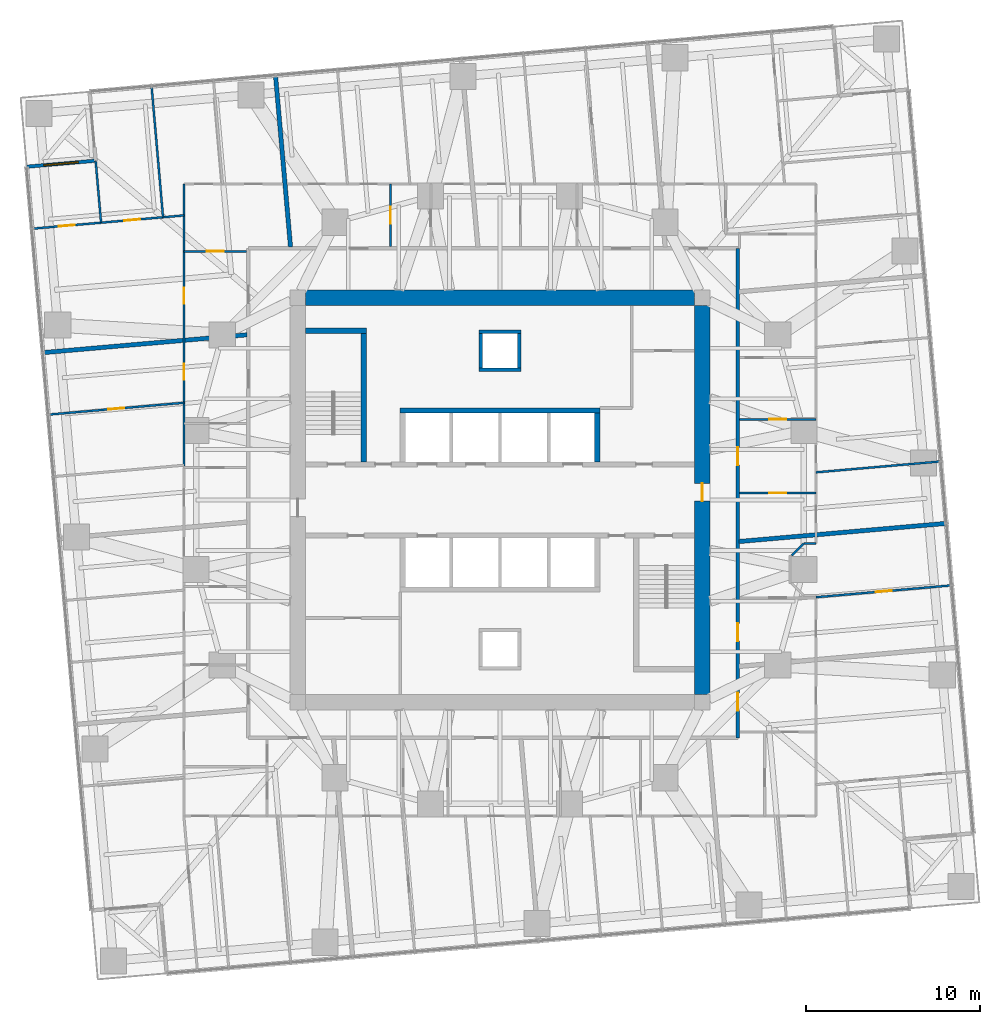
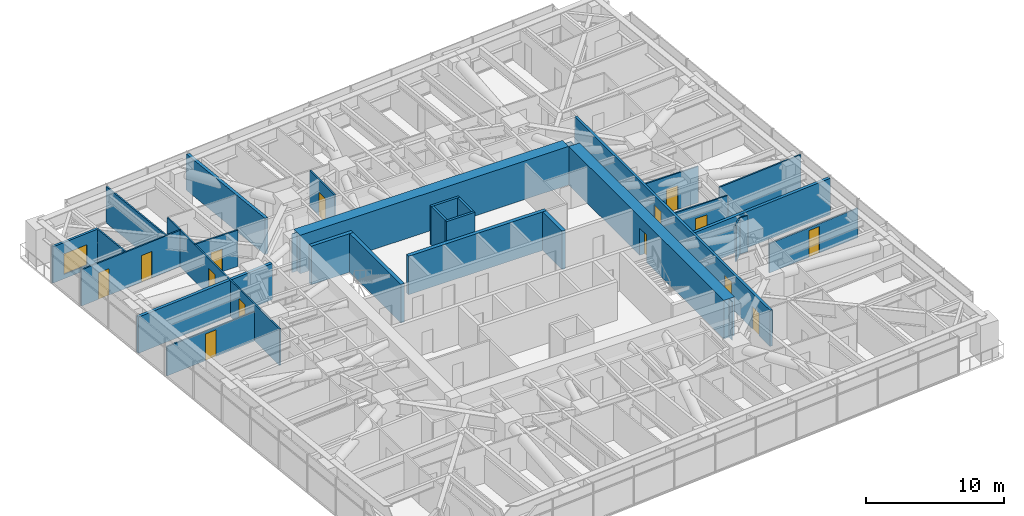
# One storey, part 14 of 18: 28 walls, 14 doors, 1 window, 15 openings.
"""IFC4 building model written with IfcOpenShell, lengths in metres."""

from ifc_helpers import new_model, si_unit, direction, frame, frame_2d, origin, place, context, subcontext, project, spatial, polyline, rectangle, outline, extrude, material, layer, layer_set, type_object, element, fill, save


model = new_model("IFC4")

# Units and contexts
model_context = context("Model", 3, precision=1e-05, world=origin(), true_north=direction((0.0, 1.0)))
body_context = subcontext(model_context, "Body", "Model", "MODEL_VIEW")
ifc_project = project(units=[si_unit("LENGTHUNIT", "METRE"), si_unit("AREAUNIT", "SQUARE_METRE"), si_unit("VOLUMEUNIT", "CUBIC_METRE"), si_unit("PLANEANGLEUNIT", "RADIAN"), si_unit("MASSUNIT", "GRAM", prefix="KILO")], contexts=[model_context])

# Site, building, storey
site_placement = place(None, origin())
site = spatial("IfcSite", under=ifc_project, at=site_placement, CompositionType="ELEMENT")
building_placement = place(site_placement, origin())
building = spatial("IfcBuilding", under=site, at=building_placement, Name="Torsade Residences", CompositionType="ELEMENT")
storey_placement = place(building_placement, frame((0.0, 0.0, 71.0)))
storey = spatial("IfcBuildingStorey", under=building, at=storey_placement, Name="L19", CompositionType="ELEMENT", Elevation=71.0)

# Walls
ifc_material_1 = material(Name="Concrete 80 MPa", Category="concrete")
ifc_layer_1 = layer(ifc_material_1, 0.300048828125)
ifc_layer_set_1 = layer_set([ifc_layer_1], Name="Concrete 80 MPa")
wall_type_1 = type_object("IfcWallType", Name="CORE INTERNAL WALL 300", PredefinedType="SHEAR", material=ifc_layer_set_1)
wall_1_placement = place(storey_placement, frame((34.25, 35.14990234375, 0.0), z_axis=(0.0, 0.0, 1.0), x_axis=(1.0, 0.0, 0.0)))
element("IfcWall", 1, at=wall_1_placement, inside=storey, type_object=wall_type_1, Name="Core wall BN L19", PredefinedType="SHEAR", context=body_context, shape_type="SweptSolid", body=[
    extrude(rectangle(XDim=11.5, YDim=0.300048828125, at=frame_2d((5.75, 0.0))), origin(), (0.0, 0.0, 1.0), 3.39990234375),
])
wall_2_placement = place(storey_placement, frame((45.60009765625, 32.199951171875, 0.0), z_axis=(0.0, 0.0, 1.0), x_axis=(0.0, 1.0, 0.0)))
element("IfcWall", 2, at=wall_2_placement, inside=storey, type_object=wall_type_1, Name="Core wall DN4 L19", PredefinedType="SHEAR", context=body_context, shape_type="SweptSolid", body=[
    extrude(rectangle(XDim=2.800048828125, YDim=0.300048828125, at=frame_2d((1.39990234375, 0.0))), origin(), (0.0, 0.0, 1.0), 3.39990234375),
])
wall_3_placement = place(storey_placement, frame((32.14990234375, 32.199951171875, 0.0), z_axis=(0.0, 0.0, 1.0), x_axis=(0.0, 1.0, 0.0)))
element("IfcWall", 3, at=wall_3_placement, inside=storey, type_object=wall_type_1, Name="Core wall ST1E L19", PredefinedType="SHEAR", context=body_context, shape_type="SweptSolid", body=[
    extrude(rectangle(XDim=7.699951171875, YDim=0.300048828125, at=frame_2d((3.85009765625, 0.0))), origin(), (0.0, 0.0, 1.0), 3.39990234375),
])
wall_4_placement = place(storey_placement, frame((28.800048828125, 39.75, 0.0), z_axis=(0.0, 0.0, 1.0), x_axis=(1.0, 0.0, 0.0)))
element("IfcWall", 4, at=wall_4_placement, inside=storey, type_object=wall_type_1, Name="Core wall ST1N L19", PredefinedType="SHEAR", context=body_context, shape_type="SweptSolid", body=[
    extrude(rectangle(XDim=3.5, YDim=0.300048828125, at=frame_2d((1.75, 0.0))), origin(), (0.0, 0.0, 1.0), 3.39990234375),
])
ifc_material_2 = material(Name="Concrete 80 MPa", Category="concrete")
ifc_layer_2 = layer(ifc_material_2, 0.89990234375)
ifc_layer_set_2 = layer_set([ifc_layer_2], Name="Concrete 80 MPa")
wall_type_2 = type_object("IfcWallType", Name="CORE WALL 900", PredefinedType="SHEAR", material=ifc_layer_set_2)
wall_5_placement = place(storey_placement, frame((28.800048828125, 41.64990234375, 0.0), z_axis=(0.0, 0.0, 1.0), x_axis=(1.0, 0.0, 0.0)))
element("IfcWall", 5, at=wall_5_placement, inside=storey, type_object=wall_type_2, Name="Core wall N L19", PredefinedType="SHEAR", context=body_context, shape_type="SweptSolid", body=[
    extrude(outline(polyline([(0.0, -0.449951171875), (22.39990234375, -0.449951171875), (22.39990234375, -0.02490234375), (22.849853515625, -0.02490234375), (22.849853515625, 0.02490234375), (22.39990234375, 0.02490234375), (22.39990234375, 0.449951171875), (0.0, 0.449951171875), (0.0, 0.02490234375), (-0.449951171875, 0.02490234375), (-0.449951171875, -0.02490234375), (0.0, -0.02490234375), (0.0, -0.449951171875)])), origin(), (0.0, 0.0, 1.0), 3.39990234375),
])

# Wall, opening, door
wall_6_placement = place(storey_placement, frame((51.64990234375, 18.800048828125, 0.0), z_axis=(0.0, 0.0, 1.0), x_axis=(0.0, 1.0, 0.0)))
wall_6 = element("IfcWall", 6, at=wall_6_placement, inside=storey, type_object=wall_type_2, Name="Core wall E L19", PredefinedType="SHEAR", context=body_context, shape_type="SweptSolid", body=[
    extrude(outline(polyline([(0.0, -0.449951171875), (22.39990234375, -0.449951171875), (22.39990234375, -0.02490234375), (22.849853515625, -0.02490234375), (22.849853515625, 0.02490234375), (22.39990234375, 0.02490234375), (22.39990234375, 0.449951171875), (0.0, 0.449951171875), (0.0, 0.02490234375), (-0.449951171875, 0.02490234375), (-0.449951171875, -0.02490234375), (0.0, -0.02490234375), (0.0, -0.449951171875)])), origin(), (0.0, 0.0, 1.0), 3.39990234375),
])
opening_1_placement = place(wall_6_placement, frame((11.139892578125, 0.0, 0.0)))
opening_1 = element("IfcOpeningElement", 7, at=opening_1_placement, cuts=wall_6, Name="Opening D04", PredefinedType="OPENING", context=body_context, shape_type="SweptSolid", body=[
    extrude(rectangle(XDim=1.02001953125, YDim=2.39990234375, at=frame_2d((0.510009765625, 1.199951171875))), frame((0.0, 0.4599609375, 0.0), z_axis=(0.0, -1.0, 0.0), x_axis=(1.0, 0.0, 0.0)), (0.0, 0.0, 1.0), 0.919921875),
])
ifc_material_3 = material(Name="Steel-framed fire door", Category="steel")
door_type_1 = type_object("IfcDoorType", Name="LOBBY SMOKE DOOR 1020x2400", OperationType="NOTDEFINED", PredefinedType="DOOR", material=ifc_material_3)
door_1_placement = place(opening_1_placement, origin())
door_1 = element("IfcDoor", 8, at=door_1_placement, inside=storey, type_object=door_type_1, Name="Lift lobby door E L19", OperationType="SINGLE_SWING_LEFT", OverallHeight=2.39990234375, OverallWidth=1.02001953125, PredefinedType="DOOR", context=body_context, shape_type="SweptSolid", body=[
    extrude(rectangle(XDim=1.02001953125, YDim=2.39990234375, at=frame_2d((0.510009765625, 1.199951171875))), frame((0.0, 0.02490234375, 0.0), z_axis=(0.0, -1.0, 0.0), x_axis=(1.0, 0.0, 0.0)), (0.0, 0.0, 1.0), 0.050048828125),
])
fill(opening_1, door_1)

# Wall, openings, doors
ifc_material_4 = material(Name="Plasterboard on steel stud", Category="steel")
ifc_layer_3 = layer(ifc_material_4, 0.199951171875)
ifc_layer_set_3 = layer_set([ifc_layer_3], Name="Plasterboard on steel stud")
wall_type_3 = type_object("IfcWallType", Name="CORRIDOR WALL 200", PredefinedType="PARTITIONING", material=ifc_layer_set_3)
wall_7_placement = place(storey_placement, frame((53.699951171875, 16.300048828125, 0.0), z_axis=(0.0, 0.0, 1.0), x_axis=(0.0, 1.0, 0.0)))
wall_7 = element("IfcWall", 9, at=wall_7_placement, inside=storey, type_object=wall_type_3, Name="Corridor wall L19", PredefinedType="PARTITIONING", context=body_context, shape_type="SweptSolid", body=[
    extrude(rectangle(XDim=28.199951171875, YDim=0.199951171875, at=frame_2d((14.10009765625, 0.0))), origin(), (0.0, 0.0, 1.0), 3.199951171875),
])
opening_2_placement = place(wall_7_placement, frame((15.7158203125, 0.0, 0.0)))
opening_2 = element("IfcOpeningElement", 10, at=opening_2_placement, cuts=wall_7, Name="Opening D01", PredefinedType="OPENING", context=body_context, shape_type="SweptSolid", body=[
    extrude(rectangle(XDim=1.02001953125, YDim=2.340087890625, at=frame_2d((0.510009765625, 1.169921875))), frame((0.0, 0.10986328125, 0.0), z_axis=(0.0, -1.0, 0.0), x_axis=(1.0, 0.0, 0.0)), (0.0, 0.0, 1.0), 0.219970703125),
])
opening_3_placement = place(wall_7_placement, frame((5.572021484375, 0.0, 0.0)))
opening_3 = element("IfcOpeningElement", 11, at=opening_3_placement, cuts=wall_7, Name="Opening D01", PredefinedType="OPENING", context=body_context, shape_type="SweptSolid", body=[
    extrude(rectangle(XDim=1.02001953125, YDim=2.340087890625, at=frame_2d((0.510009765625, 1.169921875))), frame((0.0, 0.10986328125, 0.0), z_axis=(0.0, -1.0, 0.0), x_axis=(1.0, 0.0, 0.0)), (0.0, 0.0, 1.0), 0.219970703125),
])
opening_4_placement = place(wall_7_placement, frame((1.56494140625, 0.0, 0.0)))
opening_4 = element("IfcOpeningElement", 12, at=opening_4_placement, cuts=wall_7, Name="Opening D01N", PredefinedType="OPENING", context=body_context, shape_type="SweptSolid", body=[
    extrude(rectangle(XDim=1.02001953125, YDim=2.0, at=frame_2d((0.510009765625, 1.0))), frame((0.0, 0.10986328125, 0.0), z_axis=(0.0, -1.0, 0.0), x_axis=(1.0, 0.0, 0.0)), (0.0, 0.0, 1.0), 0.219970703125),
])
ifc_material_5 = material(Name="Solid-core timber fire door", Category="wood")
door_type_2 = type_object("IfcDoorType", Name="APARTMENT ENTRY DOOR 1020x2000", OperationType="NOTDEFINED", PredefinedType="DOOR", material=ifc_material_5)
door_2_placement = place(opening_4_placement, origin())
door_2 = element("IfcDoor", 13, at=door_2_placement, inside=storey, type_object=door_type_2, Name="Door Residential corridor to Kitchen and dining", OperationType="SINGLE_SWING_LEFT", OverallHeight=2.0, OverallWidth=1.02001953125, PredefinedType="DOOR", context=body_context, shape_type="SweptSolid", body=[
    extrude(rectangle(XDim=1.02001953125, YDim=2.0, at=frame_2d((0.510009765625, 1.0))), frame((0.0, 0.02490234375, 0.0), z_axis=(0.0, -1.0, 0.0), x_axis=(1.0, 0.0, 0.0)), (0.0, 0.0, 1.0), 0.050048828125),
])
fill(opening_4, door_2)
ifc_material_6 = material(Name="Solid-core timber fire door", Category="wood")
door_type_3 = type_object("IfcDoorType", Name="APARTMENT ENTRY DOOR 1020x2340", OperationType="NOTDEFINED", PredefinedType="DOOR", material=ifc_material_6)
door_3_placement = place(opening_2_placement, origin())
door_3 = element("IfcDoor", 14, at=door_3_placement, inside=storey, type_object=door_type_3, Name="Door Residential corridor to Kitchen and dining", OperationType="SINGLE_SWING_RIGHT", OverallHeight=2.340087890625, OverallWidth=1.02001953125, PredefinedType="DOOR", context=body_context, shape_type="SweptSolid", body=[
    extrude(rectangle(XDim=1.02001953125, YDim=2.340087890625, at=frame_2d((0.510009765625, 1.169921875))), frame((0.0, 0.02490234375, 0.0), z_axis=(0.0, -1.0, 0.0), x_axis=(1.0, 0.0, 0.0)), (0.0, 0.0, 1.0), 0.050048828125),
])
fill(opening_2, door_3)
door_4_placement = place(opening_3_placement, origin())
door_4 = element("IfcDoor", 15, at=door_4_placement, inside=storey, type_object=door_type_3, Name="Door Residential corridor to Kitchen and dining", OperationType="SINGLE_SWING_RIGHT", OverallHeight=2.340087890625, OverallWidth=1.02001953125, PredefinedType="DOOR", context=body_context, shape_type="SweptSolid", body=[
    extrude(rectangle(XDim=1.02001953125, YDim=2.340087890625, at=frame_2d((0.510009765625, 1.169921875))), frame((0.0, 0.02490234375, 0.0), z_axis=(0.0, -1.0, 0.0), x_axis=(1.0, 0.0, 0.0)), (0.0, 0.0, 1.0), 0.050048828125),
])
fill(opening_3, door_4)

# Walls
ifc_material_7 = material(Name="Plasterboard on steel stud", Category="steel")
ifc_layer_4 = layer(ifc_material_7, 0.1201171875)
ifc_layer_set_4 = layer_set([ifc_layer_4], Name="Plasterboard on steel stud")
wall_type_4 = type_object("IfcWallType", Name="PARTITION 120", PredefinedType="PARTITIONING", material=ifc_layer_set_4)
wall_8_placement = place(storey_placement, frame((58.199951171875, 27.5, 0.0), z_axis=(0.0, 0.0, 1.0), x_axis=(-1.0, 0.0, 0.0)))
element("IfcWall", 16, at=wall_8_placement, inside=storey, type_object=wall_type_4, Name="Partition L19", PredefinedType="PARTITIONING", context=body_context, shape_type="SweptSolid", body=[
    extrude(rectangle(XDim=0.699951171875, YDim=0.1201171875, at=frame_2d((0.35009765625, 0.0))), origin(), (0.0, 0.0, 1.0), 3.199951171875),
])
wall_9_placement = place(storey_placement, frame((57.5, 27.5, 0.0), z_axis=(0.0, 0.0, 1.0), x_axis=(-0.707106781187, -0.707106781187, 0.0)))
element("IfcWall", 17, at=wall_9_placement, inside=storey, type_object=wall_type_4, Name="Partition L19", PredefinedType="PARTITIONING", context=body_context, shape_type="SweptSolid", body=[
    extrude(rectangle(XDim=0.989990234375, YDim=0.1201171875, at=frame_2d((0.4951171875, 0.0))), origin(), (0.0, 0.0, 1.0), 3.199951171875),
])

# Wall, opening, door
wall_10_placement = place(storey_placement, frame((58.199951171875, 24.398193359375, 0.0), z_axis=(0.0, 0.0, 1.0), x_axis=(0.996194158156, 0.087161914023, 0.0)))
wall_10 = element("IfcWall", 18, at=wall_10_placement, inside=storey, type_object=wall_type_4, Name="Partition L19", PredefinedType="PARTITIONING", context=body_context, shape_type="SweptSolid", body=[
    extrude(rectangle(XDim=7.817626953125, YDim=0.1201171875, at=frame_2d((3.90869140625, 0.0))), origin(), (0.0, 0.0, 1.0), 2.587890625),
])
opening_5_placement = place(wall_10_placement, frame((3.46875, 0.0, 0.0)))
opening_5 = element("IfcOpeningElement", 19, at=opening_5_placement, cuts=wall_10, Name="Opening D02", PredefinedType="OPENING", context=body_context, shape_type="SweptSolid", body=[
    extrude(rectangle(XDim=0.919921875, YDim=2.340087890625, at=frame_2d((0.4599609375, 1.169921875))), frame((0.0, 0.070068359375, 0.0), z_axis=(0.0, -1.0, 0.0), x_axis=(1.0, 0.0, 0.0)), (0.0, 0.0, 1.0), 0.14013671875),
])
ifc_material_8 = material(Name="Hollow-core timber door", Category="wood")
door_type_4 = type_object("IfcDoorType", Name="INTERNAL DOOR 920x2340", OperationType="NOTDEFINED", PredefinedType="DOOR", material=ifc_material_8)
door_5_placement = place(opening_5_placement, origin())
door_5 = element("IfcDoor", 20, at=door_5_placement, inside=storey, type_object=door_type_4, Name="Door Living room to Bedroom 1", OperationType="SINGLE_SWING_RIGHT", OverallHeight=2.340087890625, OverallWidth=0.919921875, PredefinedType="DOOR", context=body_context, shape_type="SweptSolid", body=[
    extrude(rectangle(XDim=0.919921875, YDim=2.340087890625, at=frame_2d((0.4599609375, 1.169921875))), frame((0.0, 0.02490234375, 0.0), z_axis=(0.0, -1.0, 0.0), x_axis=(1.0, 0.0, 0.0)), (0.0, 0.0, 1.0), 0.050048828125),
])
fill(opening_5, door_5)

wall_11_placement = place(storey_placement, frame((53.800048828125, 34.6484375, 0.0), z_axis=(0.0, 0.0, 1.0), x_axis=(1.0, 0.0, 0.0)))
wall_11 = element("IfcWall", 21, at=wall_11_placement, inside=storey, type_object=wall_type_4, Name="Partition L19", PredefinedType="PARTITIONING", context=body_context, shape_type="SweptSolid", body=[
    extrude(rectangle(XDim=4.39990234375, YDim=0.1201171875, at=frame_2d((2.199951171875, 0.0))), origin(), (0.0, 0.0, 1.0), 3.199951171875),
])
opening_6_placement = place(wall_11_placement, frame((1.719970703125, 0.0, 0.0)))
opening_6 = element("IfcOpeningElement", 22, at=opening_6_placement, cuts=wall_11, Name="Opening D05", PredefinedType="OPENING", context=body_context, shape_type="SweptSolid", body=[
    extrude(rectangle(XDim=0.9599609375, YDim=2.10009765625, at=frame_2d((0.47998046875, 1.050048828125))), frame((0.0, 0.070068359375, 0.0), z_axis=(0.0, -1.0, 0.0), x_axis=(1.0, 0.0, 0.0)), (0.0, 0.0, 1.0), 0.14013671875),
])
ifc_material_9 = material(Name="Hollow-core timber door in a steel cavity frame", Category="steel")
door_type_5 = type_object("IfcDoorType", Name="BATHROOM CAVITY SLIDING DOOR 960", OperationType="SLIDING_TO_LEFT", PredefinedType="DOOR", material=ifc_material_9)
door_6_placement = place(opening_6_placement, origin())
door_6 = element("IfcDoor", 23, at=door_6_placement, inside=storey, type_object=door_type_5, Name="Door Kitchen and dining to Ensuite", OperationType="SLIDING_TO_LEFT", OverallHeight=2.10009765625, OverallWidth=0.9599609375, PredefinedType="DOOR", context=body_context, shape_type="SweptSolid", body=[
    extrude(rectangle(XDim=0.9599609375, YDim=2.10009765625, at=frame_2d((0.47998046875, 1.050048828125))), frame((0.0, 0.02490234375, 0.0), z_axis=(0.0, -1.0, 0.0), x_axis=(1.0, 0.0, 0.0)), (0.0, 0.0, 1.0), 0.050048828125),
])
fill(opening_6, door_6)

wall_12_placement = place(storey_placement, frame((58.199951171875, 30.403076171875, 0.0), z_axis=(0.0, 0.0, 1.0), x_axis=(-1.0, 0.0, 0.0)))
wall_12 = element("IfcWall", 24, at=wall_12_placement, inside=storey, type_object=wall_type_4, Name="Partition L19", PredefinedType="PARTITIONING", context=body_context, shape_type="SweptSolid", body=[
    extrude(rectangle(XDim=4.39990234375, YDim=0.1201171875, at=frame_2d((2.199951171875, 0.0))), origin(), (0.0, 0.0, 1.0), 3.199951171875),
])
opening_7_placement = place(wall_12_placement, frame((1.719970703125, 0.0, 0.0)))
opening_7 = element("IfcOpeningElement", 25, at=opening_7_placement, cuts=wall_12, Name="Opening D05", PredefinedType="OPENING", context=body_context, shape_type="SweptSolid", body=[
    extrude(rectangle(XDim=0.9599609375, YDim=2.10009765625, at=frame_2d((0.47998046875, 1.050048828125))), frame((0.0, 0.070068359375, 0.0), z_axis=(0.0, -1.0, 0.0), x_axis=(1.0, 0.0, 0.0)), (0.0, 0.0, 1.0), 0.14013671875),
])
door_7_placement = place(opening_7_placement, origin())
door_7 = element("IfcDoor", 26, at=door_7_placement, inside=storey, type_object=door_type_5, Name="Door Kitchen and dining to Laundry", OperationType="SLIDING_TO_LEFT", OverallHeight=2.10009765625, OverallWidth=0.9599609375, PredefinedType="DOOR", context=body_context, shape_type="SweptSolid", body=[
    extrude(rectangle(XDim=0.9599609375, YDim=2.10009765625, at=frame_2d((0.47998046875, 1.050048828125))), frame((0.0, 0.02490234375, 0.0), z_axis=(0.0, -1.0, 0.0), x_axis=(1.0, 0.0, 0.0)), (0.0, 0.0, 1.0), 0.050048828125),
])
fill(opening_7, door_7)

# Wall
wall_13_placement = place(storey_placement, frame((65.363037109375, 32.218994140625, 0.0), z_axis=(0.0, 0.0, 1.0), x_axis=(-0.996194454549, -0.087158526409, 0.0)))
element("IfcWall", 27, at=wall_13_placement, inside=storey, type_object=wall_type_4, Name="Partition L19", PredefinedType="PARTITIONING", context=body_context, shape_type="SweptSolid", body=[
    extrude(rectangle(XDim=7.1904296875, YDim=0.1201171875, at=frame_2d((3.59521484375, 0.0))), origin(), (0.0, 0.0, 1.0), 3.199951171875),
])

# Wall, opening, door
wall_14_placement = place(storey_placement, frame((33.68994140625, 48.199951171875, 0.0), z_axis=(0.0, 0.0, 1.0), x_axis=(0.0, -1.0, 0.0)))
wall_14 = element("IfcWall", 28, at=wall_14_placement, inside=storey, type_object=wall_type_4, Name="Partition L19", PredefinedType="PARTITIONING", context=body_context, shape_type="SweptSolid", body=[
    extrude(rectangle(XDim=3.599853515625, YDim=0.1201171875, at=frame_2d((1.7998046875, 0.0))), origin(), (0.0, 0.0, 1.0), 3.199951171875),
])
opening_8_placement = place(wall_14_placement, frame((1.320068359375, 0.0, 0.0)))
opening_8 = element("IfcOpeningElement", 29, at=opening_8_placement, cuts=wall_14, Name="Opening D05", PredefinedType="OPENING", context=body_context, shape_type="SweptSolid", body=[
    extrude(rectangle(XDim=0.9599609375, YDim=2.10009765625, at=frame_2d((0.47998046875, 1.050048828125))), frame((0.0, 0.070068359375, 0.0), z_axis=(0.0, -1.0, 0.0), x_axis=(1.0, 0.0, 0.0)), (0.0, 0.0, 1.0), 0.14013671875),
])
door_8_placement = place(opening_8_placement, origin())
door_8 = element("IfcDoor", 30, at=door_8_placement, inside=storey, type_object=door_type_5, Name="Door Kitchen and dining to Ensuite", OperationType="SLIDING_TO_LEFT", OverallHeight=2.10009765625, OverallWidth=0.9599609375, PredefinedType="DOOR", context=body_context, shape_type="SweptSolid", body=[
    extrude(rectangle(XDim=0.9599609375, YDim=2.10009765625, at=frame_2d((0.47998046875, 1.050048828125))), frame((0.0, 0.02490234375, 0.0), z_axis=(0.0, -1.0, 0.0), x_axis=(1.0, 0.0, 0.0)), (0.0, 0.0, 1.0), 0.050048828125),
])
fill(opening_8, door_8)

wall_15_placement = place(storey_placement, frame((21.800048828125, 44.32421875, 0.0), z_axis=(0.0, 0.0, 1.0), x_axis=(1.0, 0.0, 0.0)))
wall_15 = element("IfcWall", 31, at=wall_15_placement, inside=storey, type_object=wall_type_4, Name="Partition L19", PredefinedType="PARTITIONING", context=body_context, shape_type="SweptSolid", body=[
    extrude(rectangle(XDim=3.599853515625, YDim=0.1201171875, at=frame_2d((1.7998046875, 0.0))), origin(), (0.0, 0.0, 1.0), 3.199951171875),
])
opening_9_placement = place(wall_15_placement, frame((1.320068359375, 0.0, 0.0)))
opening_9 = element("IfcOpeningElement", 32, at=opening_9_placement, cuts=wall_15, Name="Opening D05N", PredefinedType="OPENING", context=body_context, shape_type="SweptSolid", body=[
    extrude(rectangle(XDim=0.9599609375, YDim=2.0, at=frame_2d((0.47998046875, 1.0))), frame((0.0, 0.070068359375, 0.0), z_axis=(0.0, -1.0, 0.0), x_axis=(1.0, 0.0, 0.0)), (0.0, 0.0, 1.0), 0.14013671875),
])
ifc_material_10 = material(Name="Hollow-core timber door in a steel cavity frame", Category="steel")
door_type_6 = type_object("IfcDoorType", Name="BATHROOM CAVITY SLIDING DOOR 960x2000", OperationType="SLIDING_TO_LEFT", PredefinedType="DOOR", material=ifc_material_10)
door_9_placement = place(opening_9_placement, origin())
door_9 = element("IfcDoor", 33, at=door_9_placement, inside=storey, type_object=door_type_6, Name="Door Kitchen and dining to Bathroom", OperationType="SLIDING_TO_LEFT", OverallHeight=2.0, OverallWidth=0.9599609375, PredefinedType="DOOR", context=body_context, shape_type="SweptSolid", body=[
    extrude(rectangle(XDim=0.9599609375, YDim=2.0, at=frame_2d((0.47998046875, 1.0))), frame((0.0, 0.02490234375, 0.0), z_axis=(0.0, -1.0, 0.0), x_axis=(1.0, 0.0, 0.0)), (0.0, 0.0, 1.0), 0.050048828125),
])
fill(opening_9, door_9)

# Wall, openings, doors
wall_16_placement = place(storey_placement, frame((21.800048828125, 31.95458984375, 0.0), z_axis=(0.0, 0.0, 1.0), x_axis=(0.0, 1.0, 0.0)))
wall_16 = element("IfcWall", 34, at=wall_16_placement, inside=storey, type_object=wall_type_4, Name="Partition L19", PredefinedType="PARTITIONING", context=body_context, shape_type="SweptSolid", body=[
    extrude(rectangle(XDim=16.245361328125, YDim=0.1201171875, at=frame_2d((8.12255859375, 0.0))), origin(), (0.0, 0.0, 1.0), 3.199951171875),
])
opening_10_placement = place(wall_16_placement, frame((4.960693359375, 0.0, 0.0)))
opening_10 = element("IfcOpeningElement", 35, at=opening_10_placement, cuts=wall_16, Name="Opening D02", PredefinedType="OPENING", context=body_context, shape_type="SweptSolid", body=[
    extrude(rectangle(XDim=0.919921875, YDim=2.340087890625, at=frame_2d((0.4599609375, 1.169921875))), frame((0.0, 0.070068359375, 0.0), z_axis=(0.0, -1.0, 0.0), x_axis=(1.0, 0.0, 0.0)), (0.0, 0.0, 1.0), 0.14013671875),
])
opening_11_placement = place(wall_16_placement, frame((9.346923828125, 0.0, 0.0)))
opening_11 = element("IfcOpeningElement", 36, at=opening_11_placement, cuts=wall_16, Name="Opening D02", PredefinedType="OPENING", context=body_context, shape_type="SweptSolid", body=[
    extrude(rectangle(XDim=0.919921875, YDim=2.340087890625, at=frame_2d((0.4599609375, 1.169921875))), frame((0.0, 0.070068359375, 0.0), z_axis=(0.0, -1.0, 0.0), x_axis=(1.0, 0.0, 0.0)), (0.0, 0.0, 1.0), 0.14013671875),
])
door_10_placement = place(opening_10_placement, origin())
door_10 = element("IfcDoor", 37, at=door_10_placement, inside=storey, type_object=door_type_4, Name="Door Kitchen and dining to Living room", OperationType="SINGLE_SWING_RIGHT", OverallHeight=2.340087890625, OverallWidth=0.919921875, PredefinedType="DOOR", context=body_context, shape_type="SweptSolid", body=[
    extrude(rectangle(XDim=0.919921875, YDim=2.340087890625, at=frame_2d((0.4599609375, 1.169921875))), frame((0.0, 0.02490234375, 0.0), z_axis=(0.0, -1.0, 0.0), x_axis=(1.0, 0.0, 0.0)), (0.0, 0.0, 1.0), 0.050048828125),
])
fill(opening_10, door_10)
door_11_placement = place(opening_11_placement, origin())
door_11 = element("IfcDoor", 38, at=door_11_placement, inside=storey, type_object=door_type_4, Name="Door Kitchen and dining to Living room", OperationType="SINGLE_SWING_LEFT", OverallHeight=2.340087890625, OverallWidth=0.919921875, PredefinedType="DOOR", context=body_context, shape_type="SweptSolid", body=[
    extrude(rectangle(XDim=0.919921875, YDim=2.340087890625, at=frame_2d((0.4599609375, 1.169921875))), frame((0.0, 0.02490234375, 0.0), z_axis=(0.0, -1.0, 0.0), x_axis=(1.0, 0.0, 0.0)), (0.0, 0.0, 1.0), 0.050048828125),
])
fill(opening_11, door_11)

wall_17_placement = place(storey_placement, frame((13.075439453125, 45.62939453125, 0.0), z_axis=(0.0, 0.0, 1.0), x_axis=(0.996193475426, 0.087169716747, 0.0)))
wall_17 = element("IfcWall", 39, at=wall_17_placement, inside=storey, type_object=wall_type_4, Name="Partition L19", PredefinedType="PARTITIONING", context=body_context, shape_type="SweptSolid", body=[
    extrude(rectangle(XDim=8.758056640625, YDim=0.1201171875, at=frame_2d((4.37890625, 0.0))), origin(), (0.0, 0.0, 1.0), 3.199951171875),
])
opening_12_placement = place(wall_17_placement, frame((1.52490234375, 0.0, 0.0)))
opening_12 = element("IfcOpeningElement", 40, at=opening_12_placement, cuts=wall_17, Name="Opening D02", PredefinedType="OPENING", context=body_context, shape_type="SweptSolid", body=[
    extrude(rectangle(XDim=0.919921875, YDim=2.340087890625, at=frame_2d((0.4599609375, 1.169921875))), frame((0.0, 0.070068359375, 0.0), z_axis=(0.0, -1.0, 0.0), x_axis=(1.0, 0.0, 0.0)), (0.0, 0.0, 1.0), 0.14013671875),
])
opening_13_placement = place(wall_17_placement, frame((5.291748046875, 0.0, 0.0)))
opening_13 = element("IfcOpeningElement", 41, at=opening_13_placement, cuts=wall_17, Name="Opening D02", PredefinedType="OPENING", context=body_context, shape_type="SweptSolid", body=[
    extrude(rectangle(XDim=0.919921875, YDim=2.340087890625, at=frame_2d((0.4599609375, 1.169921875))), frame((0.0, 0.070068359375, 0.0), z_axis=(0.0, -1.0, 0.0), x_axis=(1.0, 0.0, 0.0)), (0.0, 0.0, 1.0), 0.14013671875),
])
door_12_placement = place(opening_12_placement, origin())
door_12 = element("IfcDoor", 42, at=door_12_placement, inside=storey, type_object=door_type_4, Name="Door Living room to Family room", OperationType="SINGLE_SWING_RIGHT", OverallHeight=2.340087890625, OverallWidth=0.919921875, PredefinedType="DOOR", context=body_context, shape_type="SweptSolid", body=[
    extrude(rectangle(XDim=0.919921875, YDim=2.340087890625, at=frame_2d((0.4599609375, 1.169921875))), frame((0.0, 0.02490234375, 0.0), z_axis=(0.0, -1.0, 0.0), x_axis=(1.0, 0.0, 0.0)), (0.0, 0.0, 1.0), 0.050048828125),
])
fill(opening_12, door_12)
door_13_placement = place(opening_13_placement, origin())
door_13 = element("IfcDoor", 43, at=door_13_placement, inside=storey, type_object=door_type_4, Name="Door Living room to Bedroom 1", OperationType="SINGLE_SWING_LEFT", OverallHeight=2.340087890625, OverallWidth=0.919921875, PredefinedType="DOOR", context=body_context, shape_type="SweptSolid", body=[
    extrude(rectangle(XDim=0.919921875, YDim=2.340087890625, at=frame_2d((0.4599609375, 1.169921875))), frame((0.0, 0.02490234375, 0.0), z_axis=(0.0, -1.0, 0.0), x_axis=(1.0, 0.0, 0.0)), (0.0, 0.0, 1.0), 0.050048828125),
])
fill(opening_13, door_13)

# Walls
wall_18_placement = place(storey_placement, frame((19.9326171875, 53.801513671875, 0.0), z_axis=(0.0, 0.0, 1.0), x_axis=(0.087158920508, -0.996194420069, 0.0)))
element("IfcWall", 44, at=wall_18_placement, inside=storey, type_object=wall_type_4, Name="Partition L19", PredefinedType="PARTITIONING", context=body_context, shape_type="SweptSolid", body=[
    extrude(rectangle(XDim=7.54345703125, YDim=0.1201171875, at=frame_2d((3.771728515625, 0.0))), origin(), (0.0, 0.0, 1.0), 3.199951171875),
])
wall_19_placement = place(storey_placement, frame((17.020263671875, 45.974609375, 0.0), z_axis=(0.0, 0.0, 1.0), x_axis=(-0.087161821847, 0.996194166221, 0.0)))
element("IfcWall", 45, at=wall_19_placement, inside=storey, type_object=wall_type_4, Name="Partition L19", PredefinedType="PARTITIONING", context=body_context, shape_type="SweptSolid", body=[
    extrude(rectangle(XDim=3.543212890625, YDim=0.1201171875, at=frame_2d((1.771484375, 0.0))), origin(), (0.0, 0.0, 1.0), 3.199951171875),
])

# Wall, opening, door
wall_20_placement = place(storey_placement, frame((21.800048828125, 35.601806640625, 0.0), z_axis=(0.0, 0.0, 1.0), x_axis=(-0.996194158156, -0.087161914023, 0.0)))
wall_20 = element("IfcWall", 46, at=wall_20_placement, inside=storey, type_object=wall_type_4, Name="Partition L19", PredefinedType="PARTITIONING", context=body_context, shape_type="SweptSolid", body=[
    extrude(rectangle(XDim=7.817626953125, YDim=0.1201171875, at=frame_2d((3.90869140625, 0.0))), origin(), (0.0, 0.0, 1.0), 2.587890625),
])
opening_14_placement = place(wall_20_placement, frame((3.46875, 0.0, 0.0)))
opening_14 = element("IfcOpeningElement", 47, at=opening_14_placement, cuts=wall_20, Name="Opening D02", PredefinedType="OPENING", context=body_context, shape_type="SweptSolid", body=[
    extrude(rectangle(XDim=0.919921875, YDim=2.340087890625, at=frame_2d((0.4599609375, 1.169921875))), frame((0.0, 0.070068359375, 0.0), z_axis=(0.0, -1.0, 0.0), x_axis=(1.0, 0.0, 0.0)), (0.0, 0.0, 1.0), 0.14013671875),
])
door_14_placement = place(opening_14_placement, origin())
door_14 = element("IfcDoor", 48, at=door_14_placement, inside=storey, type_object=door_type_4, Name="Door Living room to Bedroom 1", OperationType="SINGLE_SWING_RIGHT", OverallHeight=2.340087890625, OverallWidth=0.919921875, PredefinedType="DOOR", context=body_context, shape_type="SweptSolid", body=[
    extrude(rectangle(XDim=0.919921875, YDim=2.340087890625, at=frame_2d((0.4599609375, 1.169921875))), frame((0.0, 0.02490234375, 0.0), z_axis=(0.0, -1.0, 0.0), x_axis=(1.0, 0.0, 0.0)), (0.0, 0.0, 1.0), 0.050048828125),
])
fill(opening_14, door_14)

# Walls
ifc_material_11 = material(Name="Masonry-lined stud party wall", Category="masonry")
ifc_layer_5 = layer(ifc_material_11, 0.25)
ifc_layer_set_5 = layer_set([ifc_layer_5], Name="Masonry-lined stud party wall")
wall_type_5 = type_object("IfcWallType", Name="PARTY WALL 250", PredefinedType="PARTITIONING", material=ifc_layer_set_5)
wall_21_placement = place(storey_placement, frame((27.068359375, 54.466064453125, 0.0), z_axis=(0.0, 0.0, 1.0), x_axis=(0.087157803114, -0.996194517831, 0.0)))
element("IfcWall", 49, at=wall_21_placement, inside=storey, type_object=wall_type_5, Name="Party wall L19", PredefinedType="PARTITIONING", context=body_context, shape_type="SweptSolid", body=[
    extrude(rectangle(XDim=9.932861328125, YDim=0.25, at=frame_2d((4.96630859375, 0.0))), origin(), (0.0, 0.0, 1.0), 3.199951171875),
])
wall_22_placement = place(storey_placement, frame((13.66015625, 38.486572265625, 0.0), z_axis=(0.0, 0.0, 1.0), x_axis=(0.996193605338, 0.087168232078, 0.0)))
element("IfcWall", 50, at=wall_22_placement, inside=storey, type_object=wall_type_5, Name="Party wall L19", PredefinedType="PARTITIONING", context=body_context, shape_type="SweptSolid", body=[
    extrude(rectangle(XDim=11.813720703125, YDim=0.25, at=frame_2d((5.90673828125, 0.0))), origin(), (0.0, 0.0, 1.0), 3.199951171875),
])
wall_23_placement = place(storey_placement, frame((65.71533203125, 28.65283203125, 0.0), z_axis=(0.0, 0.0, 1.0), x_axis=(-0.996195220272, -0.087149773992, 0.0)))
element("IfcWall", 51, at=wall_23_placement, inside=storey, type_object=wall_type_5, Name="Party wall L19", PredefinedType="PARTITIONING", context=body_context, shape_type="SweptSolid", body=[
    extrude(rectangle(XDim=11.989990234375, YDim=0.25, at=frame_2d((5.9951171875, 0.0))), origin(), (0.0, 0.0, 1.0), 3.199951171875),
])
ifc_material_12 = material(Name="Reinforced blockwork", Category="masonry")
ifc_layer_6 = layer(ifc_material_12, 0.199951171875)
ifc_layer_set_6 = layer_set([ifc_layer_6], Name="Reinforced blockwork")
wall_type_6 = type_object("IfcWallType", Name="RISER SHAFT WALL 200", PredefinedType="SOLIDWALL", material=ifc_layer_set_6)
for number, where, z_axis, x_axis, name in (
    (52, (38.89990234375, 37.60009765625, 0.0), (0.0, 0.0, 1.0), (0.0, 1.0, 0.0), "Core wall RS1a L19"),
    (53, (41.10009765625, 37.60009765625, 0.0), (0.0, 0.0, 1.0), (0.0, 1.0, 0.0), "Core wall RS1b L19"),
):
    element("IfcWall", number, at=place(storey_placement, frame(where, z_axis=z_axis, x_axis=x_axis)), inside=storey, type_object=wall_type_6, Name=name, PredefinedType="SOLIDWALL", context=body_context, shape_type="SweptSolid", body=[
        extrude(rectangle(XDim=2.0, YDim=0.199951171875, at=frame_2d((1.0, 0.0))), origin(), (0.0, 0.0, 1.0), 3.39990234375),
    ])
for number, where, z_axis, x_axis, name in (
    (54, (38.800048828125, 37.5, 0.0), (0.0, 0.0, 1.0), (1.0, 0.0, 0.0), "Core wall RS1c L19"),
    (55, (38.800048828125, 39.699951171875, 0.0), (0.0, 0.0, 1.0), (1.0, 0.0, 0.0), "Core wall RS1d L19"),
):
    element("IfcWall", number, at=place(storey_placement, frame(where, z_axis=z_axis, x_axis=x_axis)), inside=storey, type_object=wall_type_6, Name=name, PredefinedType="SOLIDWALL", context=body_context, shape_type="SweptSolid", body=[
        extrude(rectangle(XDim=2.39990234375, YDim=0.199951171875, at=frame_2d((1.199951171875, 0.0))), origin(), (0.0, 0.0, 1.0), 3.39990234375),
    ])

# Wall, opening, window
ifc_material_13 = material(Name="Stone-faced precast concrete 40 MPa panel", Category="masonry")
ifc_layer_7 = layer(ifc_material_13, 0.199951171875)
ifc_layer_set_7 = layer_set([ifc_layer_7], Name="Stone-faced precast concrete 40 MPa panel")
wall_type_7 = type_object("IfcWallType", Name="TERRACE WALL 200", PredefinedType="SOLIDWALL", material=ifc_layer_set_7)
wall_24_placement = place(storey_placement, frame((16.7080078125, 49.54443359375, 0.0), z_axis=(0.0, 0.0, 1.0), x_axis=(-0.99619464492, -0.087156350505, 0.0)))
wall_24 = element("IfcWall", 56, at=wall_24_placement, inside=storey, type_object=wall_type_7, Name="Terrace wall L19 9", PredefinedType="SOLIDWALL", context=body_context, shape_type="SweptSolid", body=[
    extrude(rectangle(XDim=4.0, YDim=0.199951171875, at=frame_2d((2.0, 0.0))), origin(), (0.0, 0.0, 1.0), 3.199951171875),
])
opening_15_placement = place(wall_24_placement, frame((1.0, 0.0, 0.39990234375)))
opening_15 = element("IfcOpeningElement", 57, at=opening_15_placement, cuts=wall_24, Name="Opening W1B", PredefinedType="OPENING", context=body_context, shape_type="SweptSolid", body=[
    extrude(rectangle(XDim=2.0, YDim=1.800048828125, at=frame_2d((1.0, 0.89990234375))), frame((0.0, 0.10986328125, 0.0), z_axis=(0.0, -1.0, 0.0), x_axis=(1.0, 0.0, 0.0)), (0.0, 0.0, 1.0), 0.219970703125),
])
ifc_material_14 = material(Name="Aluminium-framed glass window", Category="aluminium")
window_type = type_object("IfcWindowType", Name="TERRACE WINDOW 2000x1800", PartitioningType="SINGLE_PANEL", PredefinedType="WINDOW", material=ifc_material_14)
window_placement = place(opening_15_placement, origin())
window = element("IfcWindow", 58, at=window_placement, inside=storey, type_object=window_type, Name="Terrace window L19 9", OverallHeight=1.800048828125, OverallWidth=2.0, PartitioningType="SINGLE_PANEL", PredefinedType="WINDOW", context=body_context, shape_type="SweptSolid", body=[
    extrude(rectangle(XDim=2.0, YDim=1.800048828125, at=frame_2d((1.0, 0.89990234375))), frame((0.0, 0.030029296875, 0.0), z_axis=(0.0, -1.0, 0.0), x_axis=(1.0, 0.0, 0.0)), (0.0, 0.0, 1.0), 0.06005859375),
])
fill(opening_15, window)

save(model, "model.ifc")
